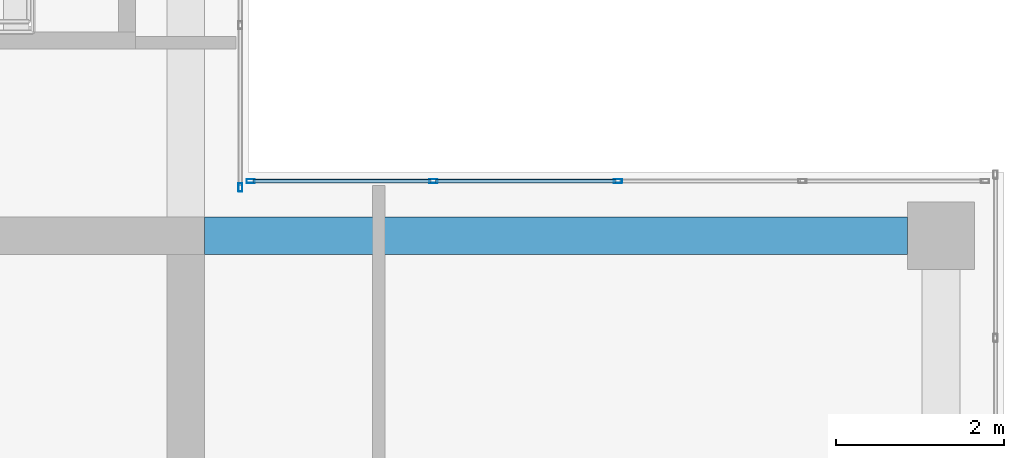
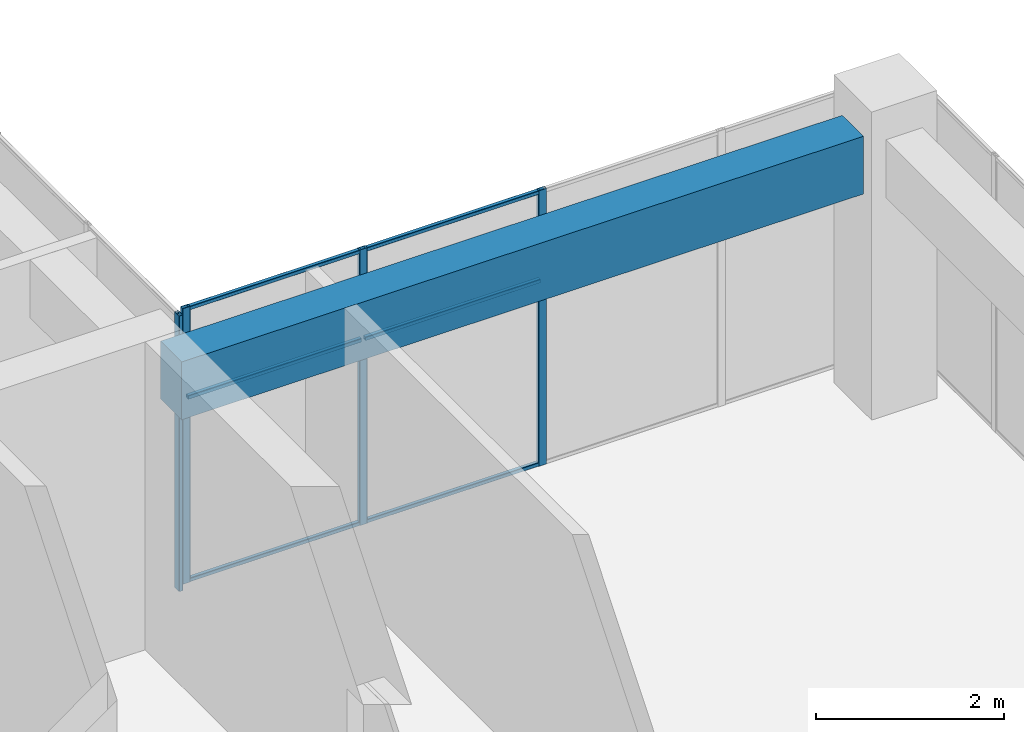
# One storey, part 28 of 52: 10 members, 1 beam, 2 elements without a shape of their own.
"""IFC4 building model written with IfcOpenShell, lengths in metres."""

from ifc_helpers import new_model, si_unit, direction, frame, origin, origin_2d, place, context, subcontext, project, spatial, rectangle, hollow_rectangle, extrude, material, layer, layer_set, material_profile, profile_set, type_object, element, aggregate, save


model = new_model("IFC4")

# Units and contexts
model_context = context("Model", 3, precision=1e-05, world=origin(), true_north=direction((0.0, 1.0)))
body_context = subcontext(model_context, "Body", "Model", "MODEL_VIEW")
ifc_project = project(units=[si_unit("LENGTHUNIT", "METRE"), si_unit("AREAUNIT", "SQUARE_METRE"), si_unit("VOLUMEUNIT", "CUBIC_METRE"), si_unit("PLANEANGLEUNIT", "RADIAN"), si_unit("MASSUNIT", "GRAM", prefix="KILO")], contexts=[model_context])

# Site, building, storey
site_placement = place(None, origin())
site = spatial("IfcSite", under=ifc_project, at=site_placement, CompositionType="ELEMENT")
building_placement = place(site_placement, origin())
building = spatial("IfcBuilding", under=site, at=building_placement, Name="Tuart Plaza Theatre", CompositionType="ELEMENT")
storey_placement = place(building_placement, frame((0.0, 0.0, 25.5)))
storey = spatial("IfcBuildingStorey", under=building, at=storey_placement, Name="L06", CompositionType="ELEMENT", Elevation=25.5)

# Beam
ifc_material_1 = material(Name="Concrete N40 (40 MPa)", Category="concrete")
ifc_material_profile_1 = material_profile(ifc_material_1, rectangle(XDim=0.449951171875, YDim=0.75, at=origin_2d()), Name="BEAM 450x750 Concrete N40 (40 MPa)")
ifc_profile_set_1 = profile_set([ifc_material_profile_1], Name="Concrete N40 (40 MPa)")
beam_type = type_object("IfcBeamType", Name="BEAM 450x750 Concrete N40 (40 MPa)", PredefinedType="BEAM", material=ifc_profile_set_1)
beam_placement = place(storey_placement, frame((141.22509765625, 83.0, 3.205078125), z_axis=(1.0, 0.0, 0.0), x_axis=(0.0, 1.0, 0.0)))
element("IfcBeam", 1, at=beam_placement, inside=storey, type_object=beam_type, Name="RB236", PredefinedType="BEAM", context=body_context, shape_type="SweptSolid", body=[
    extrude(rectangle(XDim=0.449951171875, YDim=0.75, at=origin_2d()), origin(), (0.0, 0.0, 1.0), 8.375),
])

# Curtain wall, members
ifc_material_2 = material(Name="Aluminium and glass", Category="aluminium")
ifc_layer = layer(ifc_material_2, 0.10009765625)
ifc_layer_set = layer_set([ifc_layer], Name="CURTAIN WALL 2000 module")
curtain_wall_type = type_object("IfcCurtainWallType", Name="CURTAIN WALL 2000 module", PredefinedType="NOTDEFINED", material=ifc_layer_set)
curtain_wall_1_placement = place(storey_placement, origin())
curtain_wall_1 = element("IfcCurtainWall", 2, at=curtain_wall_1_placement, inside=storey, type_object=curtain_wall_type, Name="CW79", PredefinedType="NOTDEFINED")
ifc_material_3 = material(Name="Aluminium 6063-T5", Category="aluminium")
ifc_material_profile_2 = material_profile(ifc_material_3, hollow_rectangle(XDim=0.050048828125, YDim=0.10009765625, WallThickness=0.00390625, InnerFilletRadius=0.00390625, OuterFilletRadius=0.008056640625, at=origin_2d()), Name="RHS 100x50x4")
ifc_profile_set_2 = profile_set([ifc_material_profile_2], Name="Aluminium 6063-T5")
member_type_1 = type_object("IfcMemberType", Name="MULLION RHS 100x50x4", PredefinedType="MULLION", material=ifc_profile_set_2)
member_1_placement = place(storey_placement, frame((146.14990234375, 83.64990234375, 0.0), z_axis=(0.0, 0.0, 1.0), x_axis=(0.0, -1.0, 0.0)))
member_1 = element("IfcMember", 3, at=member_1_placement, type_object=member_type_1, Name="CW79 mullion 3", PredefinedType="MULLION", context=body_context, shape_type="SweptSolid", body=[
    extrude(hollow_rectangle(XDim=0.050048828125, YDim=0.10009765625, WallThickness=0.00390625, InnerFilletRadius=0.00390625, OuterFilletRadius=0.008056640625, at=origin_2d()), origin(), (0.0, 0.0, 1.0), 3.580078125),
])
member_2_placement = place(storey_placement, frame((143.949951171875, 83.64990234375, 0.0), z_axis=(0.0, 0.0, 1.0), x_axis=(0.0, -1.0, 0.0)))
member_2 = element("IfcMember", 4, at=member_2_placement, type_object=member_type_1, Name="CW79 mullion 4", PredefinedType="MULLION", context=body_context, shape_type="SweptSolid", body=[
    extrude(hollow_rectangle(XDim=0.050048828125, YDim=0.10009765625, WallThickness=0.00390625, InnerFilletRadius=0.00390625, OuterFilletRadius=0.008056640625, at=origin_2d()), origin(), (0.0, 0.0, 1.0), 3.580078125),
])
member_3_placement = place(storey_placement, frame((141.77490234375, 83.64990234375, 0.0), z_axis=(0.0, 0.0, 1.0), x_axis=(0.0, -1.0, 0.0)))
member_3 = element("IfcMember", 5, at=member_3_placement, type_object=member_type_1, Name="CW79 mullion 5", PredefinedType="MULLION", context=body_context, shape_type="SweptSolid", body=[
    extrude(hollow_rectangle(XDim=0.050048828125, YDim=0.10009765625, WallThickness=0.00390625, InnerFilletRadius=0.00390625, OuterFilletRadius=0.008056640625, at=origin_2d()), origin(), (0.0, 0.0, 1.0), 3.580078125),
])

# Curtain wall, member
curtain_wall_2_placement = place(storey_placement, origin())
curtain_wall_2 = element("IfcCurtainWall", 6, at=curtain_wall_2_placement, inside=storey, type_object=curtain_wall_type, Name="CW81", PredefinedType="NOTDEFINED")
member_4_placement = place(storey_placement, frame((141.64990234375, 83.574951171875, 0.0), z_axis=(0.0, 0.0, 1.0), x_axis=(-1.0, 0.0, 0.0)))
member_4 = element("IfcMember", 7, at=member_4_placement, type_object=member_type_1, Name="CW81 mullion 1", PredefinedType="MULLION", context=body_context, shape_type="SweptSolid", body=[
    extrude(hollow_rectangle(XDim=0.050048828125, YDim=0.10009765625, WallThickness=0.00390625, InnerFilletRadius=0.00390625, OuterFilletRadius=0.008056640625, at=origin_2d()), origin(), (0.0, 0.0, 1.0), 3.580078125),
])
aggregate(curtain_wall_2, [member_4])

# Member
ifc_material_4 = material(Name="Aluminium 6063-T5", Category="aluminium")
ifc_material_profile_3 = material_profile(ifc_material_4, hollow_rectangle(XDim=0.050048828125, YDim=0.050048828125, WallThickness=0.00390625, InnerFilletRadius=0.00390625, OuterFilletRadius=0.008056640625, at=origin_2d()), Name="RHS 50x50x4")
ifc_profile_set_3 = profile_set([ifc_material_profile_3], Name="Aluminium 6063-T5")
member_type_2 = type_object("IfcMemberType", Name="TRANSOM RHS 50x50x4", PredefinedType="USERDEFINED", material=ifc_profile_set_3)
member_5_placement = place(storey_placement, frame((146.125, 83.64990234375, 0.02490234375), z_axis=(-1.0, 0.0, 0.0), x_axis=(0.0, -1.0, 0.0)))
member_5 = element("IfcMember", 8, at=member_5_placement, type_object=member_type_2, Name="CW79 transom 3.1", ObjectType="TRANSOM", PredefinedType="USERDEFINED", context=body_context, shape_type="SweptSolid", body=[
    extrude(hollow_rectangle(XDim=0.050048828125, YDim=0.050048828125, WallThickness=0.00390625, InnerFilletRadius=0.00390625, OuterFilletRadius=0.008056640625, at=origin_2d()), origin(), (0.0, 0.0, 1.0), 2.14990234375),
])

member_6_placement = place(storey_placement, frame((146.125, 83.64990234375, 2.39990234375), z_axis=(-1.0, 0.0, 0.0), x_axis=(0.0, -1.0, 0.0)))
member_6 = element("IfcMember", 9, at=member_6_placement, type_object=member_type_2, Name="CW79 transom 3.2", ObjectType="TRANSOM", PredefinedType="USERDEFINED", context=body_context, shape_type="SweptSolid", body=[
    extrude(hollow_rectangle(XDim=0.050048828125, YDim=0.050048828125, WallThickness=0.00390625, InnerFilletRadius=0.00390625, OuterFilletRadius=0.008056640625, at=origin_2d()), origin(), (0.0, 0.0, 1.0), 2.14990234375),
])

member_7_placement = place(storey_placement, frame((146.125, 83.64990234375, 3.554931640625), z_axis=(-1.0, 0.0, 0.0), x_axis=(0.0, -1.0, 0.0)))
member_7 = element("IfcMember", 10, at=member_7_placement, type_object=member_type_2, Name="CW79 transom 3.3", ObjectType="TRANSOM", PredefinedType="USERDEFINED", context=body_context, shape_type="SweptSolid", body=[
    extrude(hollow_rectangle(XDim=0.050048828125, YDim=0.050048828125, WallThickness=0.00390625, InnerFilletRadius=0.00390625, OuterFilletRadius=0.008056640625, at=origin_2d()), origin(), (0.0, 0.0, 1.0), 2.14990234375),
])

member_8_placement = place(storey_placement, frame((143.925048828125, 83.64990234375, 0.02490234375), z_axis=(-1.0, 0.0, 0.0), x_axis=(0.0, -1.0, 0.0)))
member_8 = element("IfcMember", 11, at=member_8_placement, type_object=member_type_2, Name="CW79 transom 4.1", ObjectType="TRANSOM", PredefinedType="USERDEFINED", context=body_context, shape_type="SweptSolid", body=[
    extrude(hollow_rectangle(XDim=0.050048828125, YDim=0.050048828125, WallThickness=0.00390625, InnerFilletRadius=0.00390625, OuterFilletRadius=0.008056640625, at=origin_2d()), origin(), (0.0, 0.0, 1.0), 2.125),
])

member_9_placement = place(storey_placement, frame((143.925048828125, 83.64990234375, 2.39990234375), z_axis=(-1.0, 0.0, 0.0), x_axis=(0.0, -1.0, 0.0)))
member_9 = element("IfcMember", 12, at=member_9_placement, type_object=member_type_2, Name="CW79 transom 4.2", ObjectType="TRANSOM", PredefinedType="USERDEFINED", context=body_context, shape_type="SweptSolid", body=[
    extrude(hollow_rectangle(XDim=0.050048828125, YDim=0.050048828125, WallThickness=0.00390625, InnerFilletRadius=0.00390625, OuterFilletRadius=0.008056640625, at=origin_2d()), origin(), (0.0, 0.0, 1.0), 2.125),
])

member_10_placement = place(storey_placement, frame((143.925048828125, 83.64990234375, 3.554931640625), z_axis=(-1.0, 0.0, 0.0), x_axis=(0.0, -1.0, 0.0)))
member_10 = element("IfcMember", 13, at=member_10_placement, type_object=member_type_2, Name="CW79 transom 4.3", ObjectType="TRANSOM", PredefinedType="USERDEFINED", context=body_context, shape_type="SweptSolid", body=[
    extrude(hollow_rectangle(XDim=0.050048828125, YDim=0.050048828125, WallThickness=0.00390625, InnerFilletRadius=0.00390625, OuterFilletRadius=0.008056640625, at=origin_2d()), origin(), (0.0, 0.0, 1.0), 2.125),
])

aggregate(curtain_wall_1, [member_1, member_2, member_3, member_5, member_6, member_7, member_8, member_9, member_10])

save(model, "model.ifc")
